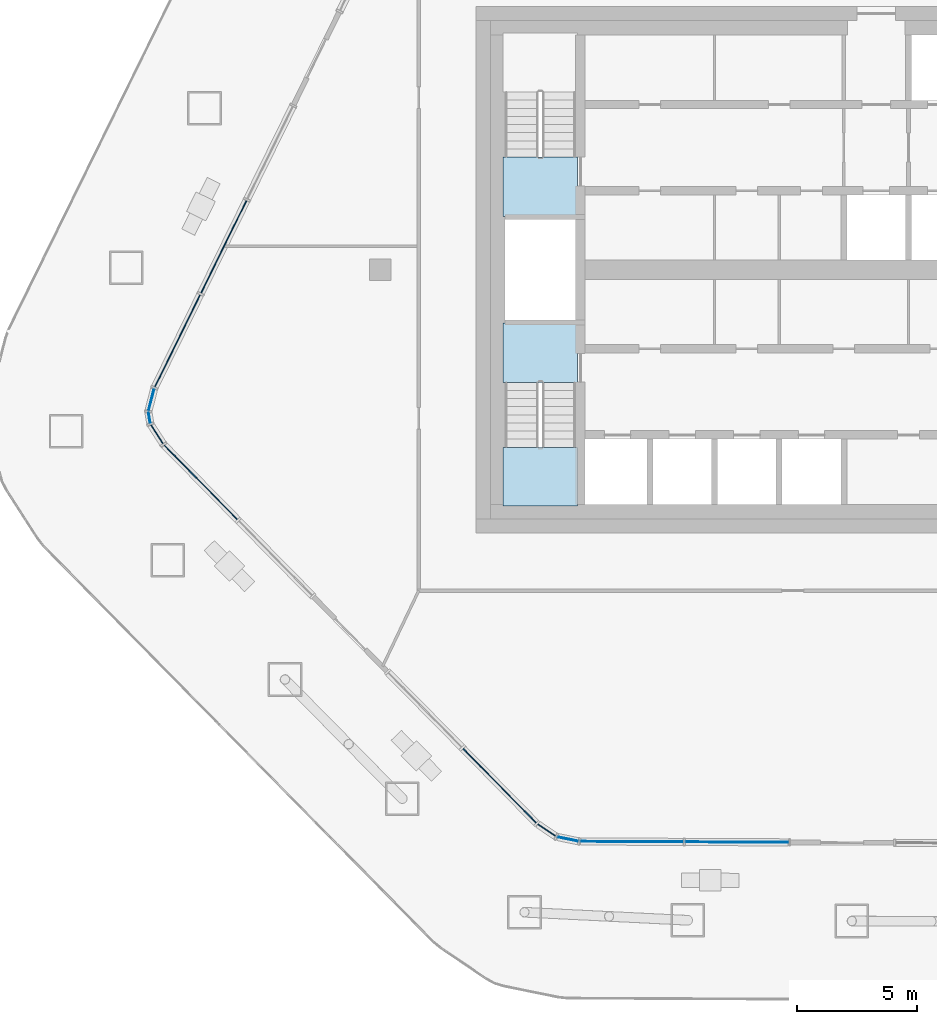
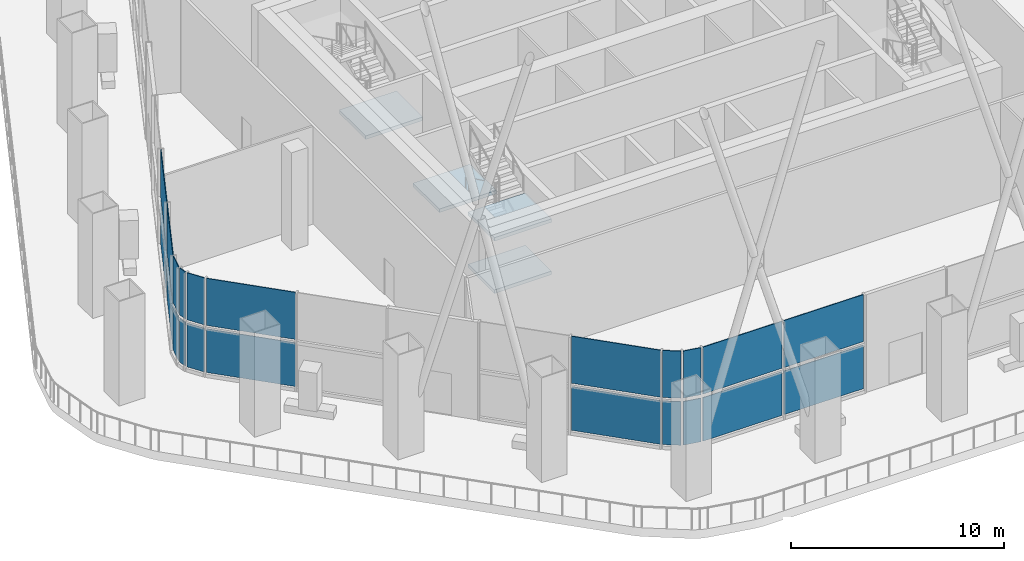
# One storey, part 7 of 20: 22 plates, 4 slabs, 8 elements without a shape of their own.
"""IFC4 building model written with IfcOpenShell, lengths in metres."""

import ifcopenshell
import ifcopenshell.guid

model = None  # the IFC model being written
_history = None  # IfcOwnerHistory: only IFC2X3 demands one
_inside = {}  # id of a spatial element -> (the spatial element, [elements in it])
_under = {}  # id of a project, library or spatial element -> (it, [spatial elements below it])
_declared = {}  # id of a project -> (the project, [libraries it declares])
_typed = {}  # id of a type object -> (the type object, [elements of that type])
_made_of = {}  # id of a material, layer set ... -> (it, [elements and type objects made of it])


def new_model(schema):
    """Start an empty IFC model of exactly this schema.

    Asked for "IFC4X3", IfcOpenShell would pick the latest addendum, in which some entities
    have other attributes; the version numbers below select the first issue.
    IFC2X3 requires an IfcOwnerHistory on every rooted entity: one is made here for all.
    """
    global model, _history
    if schema == "IFC4X3":
        model = ifcopenshell.file(schema_version=(4, 3, 0, 0))
    else:
        model = ifcopenshell.file(schema=schema)
    _inside.clear()
    _under.clear()
    _declared.clear()
    _typed.clear()
    _made_of.clear()
    _history = None
    if model.schema == "IFC2X3":
        org = make("IfcOrganization", Name="unknown")
        user = make(
            "IfcPersonAndOrganization",
            ThePerson=make("IfcPerson", FamilyName="unknown"),
            TheOrganization=org,
        )
        app = make(
            "IfcApplication",
            ApplicationDeveloper=org,
            Version="unknown",
            ApplicationFullName="unknown",
            ApplicationIdentifier="unknown",
        )
        _history = make(
            "IfcOwnerHistory",
            OwningUser=user,
            OwningApplication=app,
            ChangeAction="ADDED",
            CreationDate=0,
        )
    return model


def make(cls, **values):
    """One entity of the class cls with the attributes given. An attribute that is None is left unset."""
    return model.create_entity(
        cls, **{name: value for name, value in values.items() if value is not None}
    )


def rooted(cls, **values):
    """An entity with a GlobalId (a new one), such as an element, a storey or a relation."""
    return make(cls, GlobalId=ifcopenshell.guid.new(), OwnerHistory=_history, **values)


def si_unit(unit_type, name, prefix=None):
    """IfcSIUnit, for example si_unit("LENGTHUNIT", "METRE", prefix="MILLI")."""
    return make("IfcSIUnit", UnitType=unit_type, Prefix=prefix, Name=name)


def assignment(units):
    """IfcUnitAssignment: the units of a project."""
    return None if units is None else make("IfcUnitAssignment", Units=units)


def point(xyz):
    """IfcCartesianPoint."""
    return None if xyz is None else make("IfcCartesianPoint", Coordinates=xyz)


def direction(xyz):
    """IfcDirection."""
    return None if xyz is None else make("IfcDirection", DirectionRatios=xyz)


def frame(location, z_axis=None, x_axis=None):
    """IfcAxis2Placement3D, a coordinate frame: its origin and axes. An axis left out is left unset."""
    return make(
        "IfcAxis2Placement3D",
        Location=point(location),
        Axis=direction(z_axis),
        RefDirection=direction(x_axis),
    )


def frame_2d(location, x_axis=None):
    """IfcAxis2Placement2D, a coordinate frame in the plane: its origin and x axis."""
    return make(
        "IfcAxis2Placement2D", Location=point(location), RefDirection=direction(x_axis)
    )


def origin():
    """The frame at (0, 0, 0) with its axes left unset."""
    return frame((0.0, 0.0, 0.0))


def origin_2d():
    """The frame at (0, 0) in the plane with its x axis left unset."""
    return frame_2d((0.0, 0.0))


def place(relative_to, where):
    """IfcLocalPlacement: puts the frame where relative to a parent placement (None: the world)."""
    return make(
        "IfcLocalPlacement", PlacementRelTo=relative_to, RelativePlacement=where
    )


def context(
    kind, dimensions, precision=None, world=None, true_north=None, identifier=None
):
    """IfcGeometricRepresentationContext, for example the 3D "Model" context."""
    return make(
        "IfcGeometricRepresentationContext",
        ContextIdentifier=identifier,
        ContextType=kind,
        CoordinateSpaceDimension=dimensions,
        Precision=precision,
        WorldCoordinateSystem=world,
        TrueNorth=true_north,
    )


def subcontext(parent, identifier, kind, view, scale=None):
    """IfcGeometricRepresentationSubContext, for example "Body" below "Model"."""
    return make(
        "IfcGeometricRepresentationSubContext",
        ContextIdentifier=identifier,
        ContextType=kind,
        ParentContext=parent,
        TargetScale=scale,
        TargetView=view,
    )


def project(units=None, contexts=None):
    """IfcProject with its units and contexts."""
    return rooted(
        "IfcProject",
        Name="project",
        RepresentationContexts=contexts,
        UnitsInContext=assignment(units),
    )


def spatial(cls, under=None, at=None, **own):
    """A site, building, storey or space (cls), placed at a placement, below another one or the project."""
    s = rooted(cls, ObjectPlacement=at, **own)
    if under is not None:
        _under.setdefault(under.id(), (under, []))[1].append(s)
    return s


def polyline(points):
    """IfcPolyline through the points."""
    return make("IfcPolyline", Points=[point(p) for p in points])


def profile(cls, at=None, kind="AREA", **sizes):
    """A parametric profile (cls). Its sizes go by their IFC names, for example OverallWidth=200.0."""
    return make(cls, ProfileType=kind, Position=at, **sizes)


def rectangle(**sizes):
    """IfcRectangleProfileDef."""
    return profile("IfcRectangleProfileDef", **sizes)


def outline(outer, holes=None, kind="AREA"):
    """IfcArbitraryClosedProfileDef: a profile drawn as a closed curve; with holes, ...WithVoids."""
    if holes is None:
        return make("IfcArbitraryClosedProfileDef", ProfileType=kind, OuterCurve=outer)
    return make(
        "IfcArbitraryProfileDefWithVoids",
        ProfileType=kind,
        OuterCurve=outer,
        InnerCurves=holes,
    )


def extrude(swept, where, along, depth):
    """IfcExtrudedAreaSolid: the profile swept, set in the frame where, extruded along a direction by depth."""
    return make(
        "IfcExtrudedAreaSolid",
        SweptArea=swept,
        Position=where,
        ExtrudedDirection=direction(along),
        Depth=depth,
    )


def shape(context_of_items, identifier, shape_type, items):
    """IfcShapeRepresentation: the items that make up one representation, for example the "Body"."""
    return make(
        "IfcShapeRepresentation",
        ContextOfItems=context_of_items,
        RepresentationIdentifier=identifier,
        RepresentationType=shape_type,
        Items=items,
    )


def material(Name=None, Category=None):
    """IfcMaterial."""
    return make("IfcMaterial", Name=Name, Category=Category)


def layer(
    of_material, thickness, ventilated=None, Name=None, Category=None, Priority=None
):
    """IfcMaterialLayer: one layer of a wall or slab, of a material (None: an air gap)."""
    return make(
        "IfcMaterialLayer",
        Material=of_material,
        LayerThickness=thickness,
        IsVentilated=ventilated,
        Name=Name,
        Category=Category,
        Priority=Priority,
    )


def layer_set(layers, Name=None):
    """IfcMaterialLayerSet."""
    return make("IfcMaterialLayerSet", MaterialLayers=layers, LayerSetName=Name)


def made_of(thing, what):
    """Note that an element or type object is made of a material, layer set ...; save() writes the relation."""
    if what is not None:
        _made_of.setdefault(what.id(), (what, []))[1].append(thing)
    return thing


def type_object(cls, material=None, **own):
    """A type object (cls), such as IfcWallType, which elements share."""
    return made_of(rooted(cls, **own), material)


def element(
    cls,
    number,
    at=None,
    inside=None,
    cuts=None,
    type_object=None,
    material=None,
    context=None,
    identifier="Body",
    shape_type=None,
    held_by="IfcProductDefinitionShape",
    body=None,
    shapes=None,
    **own,
):
    """One element of the class cls, such as IfcWall. Its Tag is "e" and its number.

    at: its placement. inside: the storey or other place that contains it. cuts: it is an
    opening in that element (IfcRelVoidsElement). A single representation is given by context,
    identifier, shape_type and body (its items); several are given by shapes. held_by: the class
    of the entity that holds the representations. save() writes the other relations.
    """
    e = rooted(cls, Tag="e%d" % number, ObjectPlacement=at, **own)
    if body is not None:
        shapes = [shape(context, identifier, shape_type, body)]
    if shapes is not None:
        e.Representation = make(held_by, Representations=shapes)
    if inside is not None:
        _inside.setdefault(inside.id(), (inside, []))[1].append(e)
    if cuts is not None:
        rooted(
            "IfcRelVoidsElement", RelatingBuildingElement=cuts, RelatedOpeningElement=e
        )
    if type_object is not None:
        _typed.setdefault(type_object.id(), (type_object, []))[1].append(e)
    return made_of(e, material)


def aggregate(whole, parts):
    """IfcRelAggregates: a whole, such as a stair, and the parts it consists of."""
    return rooted("IfcRelAggregates", RelatingObject=whole, RelatedObjects=parts)


def save(model, path):
    """Write the relations noted so far, then the file.

    IfcRelAggregates (storeys below a building ...), IfcRelContainedInSpatialStructure (elements
    in a storey), IfcRelDefinesByType, IfcRelAssociatesMaterial and IfcRelDeclares: one each for
    every whole, place, type object, material and project.
    """
    for whole, parts in _under.values():
        aggregate(whole, parts)
    for where, things in _inside.values():
        rooted(
            "IfcRelContainedInSpatialStructure",
            RelatedElements=things,
            RelatingStructure=where,
        )
    for kind, things in _typed.values():
        rooted("IfcRelDefinesByType", RelatedObjects=things, RelatingType=kind)
    for what, things in _made_of.values():
        rooted("IfcRelAssociatesMaterial", RelatedObjects=things, RelatingMaterial=what)
    for by, libraries in _declared.values():
        rooted("IfcRelDeclares", RelatingContext=by, RelatedDefinitions=libraries)
    model.write(path)


model = new_model("IFC4")

# Units and contexts
model_context = context("Model", 3, precision=1e-05, world=origin(), true_north=direction((0.0, 1.0)))
body_context = subcontext(model_context, "Body", "Model", "MODEL_VIEW")
ifc_project = project(units=[si_unit("LENGTHUNIT", "METRE"), si_unit("AREAUNIT", "SQUARE_METRE"), si_unit("VOLUMEUNIT", "CUBIC_METRE"), si_unit("PLANEANGLEUNIT", "RADIAN"), si_unit("MASSUNIT", "GRAM", prefix="KILO")], contexts=[model_context])

# Site, building, storey
site_placement = place(None, origin())
site = spatial("IfcSite", under=ifc_project, at=site_placement, CompositionType="ELEMENT")
building_placement = place(site_placement, origin())
building = spatial("IfcBuilding", under=site, at=building_placement, Name="Dongbaek Canopy Tower", CompositionType="ELEMENT")
storey_placement = place(building_placement, frame((0.0, 0.0, 353.0)))
storey = spatial("IfcBuildingStorey", under=building, at=storey_placement, Name="L76", CompositionType="ELEMENT", Elevation=353.0)

# Curtain wall, plates
ifc_material_1 = material(Name="Aluminium 6063-T6 pale anodised", Category="aluminium")
ifc_layer_1 = layer(ifc_material_1, 0.300048828125)
ifc_layer_set_1 = layer_set([ifc_layer_1], Name="CW-5 observation lounge curtain wall")
curtain_wall_type = type_object("IfcCurtainWallType", Name="CW-5 observation lounge curtain wall", PredefinedType="NOTDEFINED", material=ifc_layer_set_1)
curtain_wall_1_placement = place(storey_placement, origin())
curtain_wall_1 = element("IfcCurtainWall", 1, at=curtain_wall_1_placement, inside=storey, type_object=curtain_wall_type, Name="CW-5 curtain wall F2.2", PredefinedType="NOTDEFINED")
ifc_material_2 = material(Name="Clear laminated glass", Category="glass")
ifc_layer_2 = layer(ifc_material_2, 0.0400390625)
ifc_layer_set_2 = layer_set([ifc_layer_2], Name="CW-5 glazed panel 40")
plate_type = type_object("IfcPlateType", Name="CW-5 glazed panel 40", PredefinedType="CURTAIN_PANEL", material=ifc_layer_set_2)
plate_1_placement = place(storey_placement, frame((-24.54345703125, 0.954833984375, 0.199951171875), z_axis=(0.0, 0.0, 1.0), x_axis=(-0.441341617152, -0.897339164959, 0.0)))
plate_1 = element("IfcPlate", 2, at=plate_1_placement, type_object=plate_type, Name="CW-5 panel F2.2.2.1", PredefinedType="CURTAIN_PANEL", context=body_context, shape_type="SweptSolid", body=[
    extrude(rectangle(XDim=4.27880859375, YDim=0.0400390625, at=origin_2d()), origin(), (0.0, 0.0, 1.0), 2.5),
])
plate_2_placement = place(storey_placement, frame((-24.54345703125, 0.954833984375, 2.89990234375), z_axis=(0.0, 0.0, 1.0), x_axis=(-0.441341617152, -0.897339164959, 0.0)))
plate_2 = element("IfcPlate", 3, at=plate_2_placement, type_object=plate_type, Name="CW-5 panel F2.2.2.2", PredefinedType="CURTAIN_PANEL", context=body_context, shape_type="SweptSolid", body=[
    extrude(rectangle(XDim=4.27880859375, YDim=0.0400390625, at=origin_2d()), origin(), (0.0, 0.0, 1.0), 2.699951171875),
])
plate_3_placement = place(storey_placement, frame((-26.4755859375, -2.973388671875, 0.199951171875), z_axis=(0.0, 0.0, 1.0), x_axis=(-0.441341617152, -0.897339164959, 0.0)))
plate_3 = element("IfcPlate", 4, at=plate_3_placement, type_object=plate_type, Name="CW-5 panel F2.2.3.1", PredefinedType="CURTAIN_PANEL", context=body_context, shape_type="SweptSolid", body=[
    extrude(rectangle(XDim=4.268310546875, YDim=0.0400390625, at=origin_2d()), origin(), (0.0, 0.0, 1.0), 2.5),
])
plate_4_placement = place(storey_placement, frame((-26.4755859375, -2.973388671875, 2.89990234375), z_axis=(0.0, 0.0, 1.0), x_axis=(-0.441341617152, -0.897339164959, 0.0)))
plate_4 = element("IfcPlate", 5, at=plate_4_placement, type_object=plate_type, Name="CW-5 panel F2.2.3.2", PredefinedType="CURTAIN_PANEL", context=body_context, shape_type="SweptSolid", body=[
    extrude(rectangle(XDim=4.268310546875, YDim=0.0400390625, at=origin_2d()), origin(), (0.0, 0.0, 1.0), 2.699951171875),
])
aggregate(curtain_wall_1, [plate_1, plate_2, plate_3, plate_4])

curtain_wall_2_placement = place(storey_placement, origin())
curtain_wall_2 = element("IfcCurtainWall", 6, at=curtain_wall_2_placement, inside=storey, type_object=curtain_wall_type, Name="CW-5 curtain wall K2.1", PredefinedType="NOTDEFINED")
plate_5_placement = place(storey_placement, frame((-27.56689453125, -5.427734375, 0.199951171875), z_axis=(0.0, 0.0, 1.0), x_axis=(-0.248640609664, -0.968595812104, 0.0)))
plate_5 = element("IfcPlate", 7, at=plate_5_placement, type_object=plate_type, Name="CW-5 panel K2.1.1.1", PredefinedType="CURTAIN_PANEL", context=body_context, shape_type="SweptSolid", body=[
    extrude(rectangle(XDim=0.9130859375, YDim=0.0400390625, at=origin_2d()), origin(), (0.0, 0.0, 1.0), 2.5),
])
plate_6_placement = place(storey_placement, frame((-27.56689453125, -5.427734375, 2.89990234375), z_axis=(0.0, 0.0, 1.0), x_axis=(-0.248640609664, -0.968595812104, 0.0)))
plate_6 = element("IfcPlate", 8, at=plate_6_placement, type_object=plate_type, Name="CW-5 panel K2.1.1.2", PredefinedType="CURTAIN_PANEL", context=body_context, shape_type="SweptSolid", body=[
    extrude(rectangle(XDim=0.9130859375, YDim=0.0400390625, at=origin_2d()), origin(), (0.0, 0.0, 1.0), 2.699951171875),
])
plate_7_placement = place(storey_placement, frame((-27.65087890625, -6.1826171875, 0.199951171875), z_axis=(0.0, 0.0, 1.0), x_axis=(0.159668901107, -0.987170624573, 0.0)))
plate_7 = element("IfcPlate", 9, at=plate_7_placement, type_object=plate_type, Name="CW-5 panel K2.1.2.1", PredefinedType="CURTAIN_PANEL", context=body_context, shape_type="SweptSolid", body=[
    extrude(rectangle(XDim=0.427734375, YDim=0.0400390625, at=origin_2d()), origin(), (0.0, 0.0, 1.0), 2.5),
])
plate_8_placement = place(storey_placement, frame((-27.65087890625, -6.1826171875, 2.89990234375), z_axis=(0.0, 0.0, 1.0), x_axis=(0.159668901107, -0.987170624573, 0.0)))
plate_8 = element("IfcPlate", 10, at=plate_8_placement, type_object=plate_type, Name="CW-5 panel K2.1.2.2", PredefinedType="CURTAIN_PANEL", context=body_context, shape_type="SweptSolid", body=[
    extrude(rectangle(XDim=0.427734375, YDim=0.0400390625, at=origin_2d()), origin(), (0.0, 0.0, 1.0), 2.699951171875),
])
plate_9_placement = place(storey_placement, frame((-27.3330078125, -6.87255859375, 0.199951171875), z_axis=(0.0, 0.0, 1.0), x_axis=(0.541306146453, -0.840825579899, 0.0)))
plate_9 = element("IfcPlate", 11, at=plate_9_placement, type_object=plate_type, Name="CW-5 panel K2.1.3.1", PredefinedType="CURTAIN_PANEL", context=body_context, shape_type="SweptSolid", body=[
    extrude(rectangle(XDim=0.9130859375, YDim=0.0400390625, at=origin_2d()), origin(), (0.0, 0.0, 1.0), 2.5),
])
plate_10_placement = place(storey_placement, frame((-27.3330078125, -6.87255859375, 2.89990234375), z_axis=(0.0, 0.0, 1.0), x_axis=(0.541306146453, -0.840825579899, 0.0)))
plate_10 = element("IfcPlate", 12, at=plate_10_placement, type_object=plate_type, Name="CW-5 panel K2.1.3.2", PredefinedType="CURTAIN_PANEL", context=body_context, shape_type="SweptSolid", body=[
    extrude(rectangle(XDim=0.9130859375, YDim=0.0400390625, at=origin_2d()), origin(), (0.0, 0.0, 1.0), 2.699951171875),
])
aggregate(curtain_wall_2, [plate_5, plate_6, plate_7, plate_8, plate_9, plate_10])

curtain_wall_3_placement = place(storey_placement, origin())
curtain_wall_3 = element("IfcCurtainWall", 13, at=curtain_wall_3_placement, inside=storey, type_object=curtain_wall_type, Name="CW-5 curtain wall F3.1", PredefinedType="NOTDEFINED")
plate_11_placement = place(storey_placement, frame((-25.500732421875, -8.881103515625, 0.199951171875), z_axis=(0.0, 0.0, 1.0), x_axis=(0.701718259547, -0.712454548879, 0.0)))
plate_11 = element("IfcPlate", 14, at=plate_11_placement, type_object=plate_type, Name="CW-5 panel F3.1.1.1", PredefinedType="CURTAIN_PANEL", context=body_context, shape_type="SweptSolid", body=[
    extrude(rectangle(XDim=4.333740234375, YDim=0.0400390625, at=origin_2d()), origin(), (0.0, 0.0, 1.0), 2.5),
])
plate_12_placement = place(storey_placement, frame((-25.500732421875, -8.881103515625, 2.89990234375), z_axis=(0.0, 0.0, 1.0), x_axis=(0.701718259547, -0.712454548879, 0.0)))
plate_12 = element("IfcPlate", 15, at=plate_12_placement, type_object=plate_type, Name="CW-5 panel F3.1.1.2", PredefinedType="CURTAIN_PANEL", context=body_context, shape_type="SweptSolid", body=[
    extrude(rectangle(XDim=4.333740234375, YDim=0.0400390625, at=origin_2d()), origin(), (0.0, 0.0, 1.0), 2.699951171875),
])
aggregate(curtain_wall_3, [plate_11, plate_12])

curtain_wall_4_placement = place(storey_placement, origin())
curtain_wall_4 = element("IfcCurtainWall", 16, at=curtain_wall_4_placement, inside=storey, type_object=curtain_wall_type, Name="CW-5 curtain wall F3.2", PredefinedType="NOTDEFINED")
plate_13_placement = place(storey_placement, frame((-13.022705078125, -21.550048828125, 0.199951171875), z_axis=(0.0, 0.0, 1.0), x_axis=(0.701718259547, -0.712454548879, 0.0)))
plate_13 = element("IfcPlate", 17, at=plate_13_placement, type_object=plate_type, Name="CW-5 panel F3.2.2.1", PredefinedType="CURTAIN_PANEL", context=body_context, shape_type="SweptSolid", body=[
    extrude(rectangle(XDim=4.334228515625, YDim=0.0400390625, at=origin_2d()), origin(), (0.0, 0.0, 1.0), 2.5),
])
plate_14_placement = place(storey_placement, frame((-13.022705078125, -21.550048828125, 2.89990234375), z_axis=(0.0, 0.0, 1.0), x_axis=(0.701718259547, -0.712454548879, 0.0)))
plate_14 = element("IfcPlate", 18, at=plate_14_placement, type_object=plate_type, Name="CW-5 panel F3.2.2.2", PredefinedType="CURTAIN_PANEL", context=body_context, shape_type="SweptSolid", body=[
    extrude(rectangle(XDim=4.334228515625, YDim=0.0400390625, at=origin_2d()), origin(), (0.0, 0.0, 1.0), 2.699951171875),
])
aggregate(curtain_wall_4, [plate_13, plate_14])

curtain_wall_5_placement = place(storey_placement, origin())
curtain_wall_5 = element("IfcCurtainWall", 19, at=curtain_wall_5_placement, inside=storey, type_object=curtain_wall_type, Name="CW-5 curtain wall K3.1", PredefinedType="NOTDEFINED")
plate_15_placement = place(storey_placement, frame((-11.061279296875, -23.405029296875, 0.199951171875), z_axis=(0.0, 0.0, 1.0), x_axis=(0.827667081738, -0.561219388304, 0.0)))
plate_15 = element("IfcPlate", 20, at=plate_15_placement, type_object=plate_type, Name="CW-5 panel K3.1.1.1", PredefinedType="CURTAIN_PANEL", context=body_context, shape_type="SweptSolid", body=[
    extrude(rectangle(XDim=0.87255859375, YDim=0.0400390625, at=origin_2d()), origin(), (0.0, 0.0, 1.0), 2.5),
])
plate_16_placement = place(storey_placement, frame((-11.061279296875, -23.405029296875, 2.89990234375), z_axis=(0.0, 0.0, 1.0), x_axis=(0.827667081738, -0.561219388304, 0.0)))
plate_16 = element("IfcPlate", 21, at=plate_16_placement, type_object=plate_type, Name="CW-5 panel K3.1.1.2", PredefinedType="CURTAIN_PANEL", context=body_context, shape_type="SweptSolid", body=[
    extrude(rectangle(XDim=0.87255859375, YDim=0.0400390625, at=origin_2d()), origin(), (0.0, 0.0, 1.0), 2.699951171875),
])
plate_17_placement = place(storey_placement, frame((-10.1787109375, -23.77685546875, 0.199951171875), z_axis=(0.0, 0.0, 1.0), x_axis=(0.979747861542, -0.200235181233, 0.0)))
plate_17 = element("IfcPlate", 22, at=plate_17_placement, type_object=plate_type, Name="CW-5 panel K3.1.2.1", PredefinedType="CURTAIN_PANEL", context=body_context, shape_type="SweptSolid", body=[
    extrude(rectangle(XDim=0.87255859375, YDim=0.0400390625, at=origin_2d()), origin(), (0.0, 0.0, 1.0), 2.5),
])
plate_18_placement = place(storey_placement, frame((-10.1787109375, -23.77685546875, 2.89990234375), z_axis=(0.0, 0.0, 1.0), x_axis=(0.979747861542, -0.200235181233, 0.0)))
plate_18 = element("IfcPlate", 23, at=plate_18_placement, type_object=plate_type, Name="CW-5 panel K3.1.2.2", PredefinedType="CURTAIN_PANEL", context=body_context, shape_type="SweptSolid", body=[
    extrude(rectangle(XDim=0.87255859375, YDim=0.0400390625, at=origin_2d()), origin(), (0.0, 0.0, 1.0), 2.699951171875),
])
aggregate(curtain_wall_5, [plate_15, plate_16, plate_17, plate_18])

curtain_wall_6_placement = place(storey_placement, origin())
curtain_wall_6 = element("IfcCurtainWall", 24, at=curtain_wall_6_placement, inside=storey, type_object=curtain_wall_type, Name="CW-5 curtain wall F4.1", PredefinedType="NOTDEFINED")
plate_19_placement = place(storey_placement, frame((-7.507568359375, -23.884521484375, 0.199951171875), z_axis=(0.0, 0.0, 1.0), x_axis=(0.999990026875, -0.0044661113, 0.0)))
plate_19 = element("IfcPlate", 25, at=plate_19_placement, type_object=plate_type, Name="CW-5 panel F4.1.1.1", PredefinedType="CURTAIN_PANEL", context=body_context, shape_type="SweptSolid", body=[
    extrude(rectangle(XDim=4.281494140625, YDim=0.0400390625, at=origin_2d()), origin(), (0.0, 0.0, 1.0), 2.5),
])
plate_20_placement = place(storey_placement, frame((-7.507568359375, -23.884521484375, 2.89990234375), z_axis=(0.0, 0.0, 1.0), x_axis=(0.999990026875, -0.0044661113, 0.0)))
plate_20 = element("IfcPlate", 26, at=plate_20_placement, type_object=plate_type, Name="CW-5 panel F4.1.1.2", PredefinedType="CURTAIN_PANEL", context=body_context, shape_type="SweptSolid", body=[
    extrude(rectangle(XDim=4.281494140625, YDim=0.0400390625, at=origin_2d()), origin(), (0.0, 0.0, 1.0), 2.699951171875),
])
plate_21_placement = place(storey_placement, frame((-3.1171875, -23.904052734375, 0.199951171875), z_axis=(0.0, 0.0, 1.0), x_axis=(0.999990026875, -0.0044661113, 0.0)))
plate_21 = element("IfcPlate", 27, at=plate_21_placement, type_object=plate_type, Name="CW-5 panel F4.1.2.1", PredefinedType="CURTAIN_PANEL", context=body_context, shape_type="SweptSolid", body=[
    extrude(rectangle(XDim=4.291259765625, YDim=0.0400390625, at=origin_2d()), origin(), (0.0, 0.0, 1.0), 2.5),
])
plate_22_placement = place(storey_placement, frame((-3.1171875, -23.904052734375, 2.89990234375), z_axis=(0.0, 0.0, 1.0), x_axis=(0.999990026875, -0.0044661113, 0.0)))
plate_22 = element("IfcPlate", 28, at=plate_22_placement, type_object=plate_type, Name="CW-5 panel F4.1.2.2", PredefinedType="CURTAIN_PANEL", context=body_context, shape_type="SweptSolid", body=[
    extrude(rectangle(XDim=4.291259765625, YDim=0.0400390625, at=origin_2d()), origin(), (0.0, 0.0, 1.0), 2.699951171875),
])
aggregate(curtain_wall_6, [plate_19, plate_20, plate_21, plate_22])

# Stair, slab
ifc_material_3 = material(Name="Concrete C40/50", Category="concrete")
stair_type = type_object("IfcStairType", Name="Core exit stair", PredefinedType="HALF_TURN_STAIR", material=ifc_material_3)
stair_1_placement = place(storey_placement, origin())
stair_1 = element("IfcStair", 29, at=stair_1_placement, inside=storey, type_object=stair_type, Name="L76 exit stair C", PredefinedType="HALF_TURN_STAIR")
ifc_material_4 = material(Name="Concrete C40/50", Category="concrete")
ifc_layer_3 = layer(ifc_material_4, 0.199951171875)
ifc_layer_set_3 = layer_set([ifc_layer_3], Name="Core stair landing 200")
slab_type = type_object("IfcSlabType", Name="Core stair landing 200", PredefinedType="LANDING", material=ifc_layer_set_3)
slab_1_placement = place(storey_placement, frame((0.0, 0.0, 2.800048828125)))
slab_1 = element("IfcSlab", 30, at=slab_1_placement, type_object=slab_type, Name="ST-C landing 2", PredefinedType="LANDING", context=body_context, shape_type="SweptSolid", body=[
    extrude(outline(polyline([(-9.77490234375, 2.22509765625), (-9.77490234375, 4.699951171875), (-12.875, 4.699951171875), (-12.875, 2.22509765625), (-9.77490234375, 2.22509765625)])), origin(), (0.0, 0.0, 1.0), 0.199951171875),
])
aggregate(stair_1, [slab_1])

# Stair, slabs
stair_2_placement = place(storey_placement, origin())
stair_2 = element("IfcStair", 31, at=stair_2_placement, inside=storey, type_object=stair_type, Name="L76 exit stair D", PredefinedType="HALF_TURN_STAIR")
slab_2_placement = place(storey_placement, frame((0.0, 0.0, 1.300048828125)))
slab_2 = element("IfcSlab", 32, at=slab_2_placement, type_object=slab_type, Name="ST-D landing 1", PredefinedType="LANDING", context=body_context, shape_type="SweptSolid", body=[
    extrude(outline(polyline([(-12.875, -7.419921875), (-12.875, -9.875), (-9.77490234375, -9.875), (-9.77490234375, -7.419921875), (-12.875, -7.419921875)])), origin(), (0.0, 0.0, 1.0), 0.199951171875),
])
slab_3_placement = place(storey_placement, frame((0.0, 0.0, 2.800048828125)))
slab_3 = element("IfcSlab", 33, at=slab_3_placement, type_object=slab_type, Name="ST-D landing 2", PredefinedType="LANDING", context=body_context, shape_type="SweptSolid", body=[
    extrude(outline(polyline([(-12.875, -2.22509765625), (-12.875, -4.699951171875), (-9.77490234375, -4.699951171875), (-9.77490234375, -2.22509765625), (-12.875, -2.22509765625)])), origin(), (0.0, 0.0, 1.0), 0.199951171875),
])
slab_4_placement = place(storey_placement, frame((0.0, 0.0, 4.300048828125)))
slab_4 = element("IfcSlab", 34, at=slab_4_placement, type_object=slab_type, Name="ST-D landing 3", PredefinedType="LANDING", context=body_context, shape_type="SweptSolid", body=[
    extrude(outline(polyline([(-12.875, -7.419921875), (-12.875, -9.875), (-9.77490234375, -9.875), (-9.77490234375, -7.419921875), (-12.875, -7.419921875)])), origin(), (0.0, 0.0, 1.0), 0.199951171875),
])
aggregate(stair_2, [slab_2, slab_3, slab_4])

save(model, "model.ifc")
